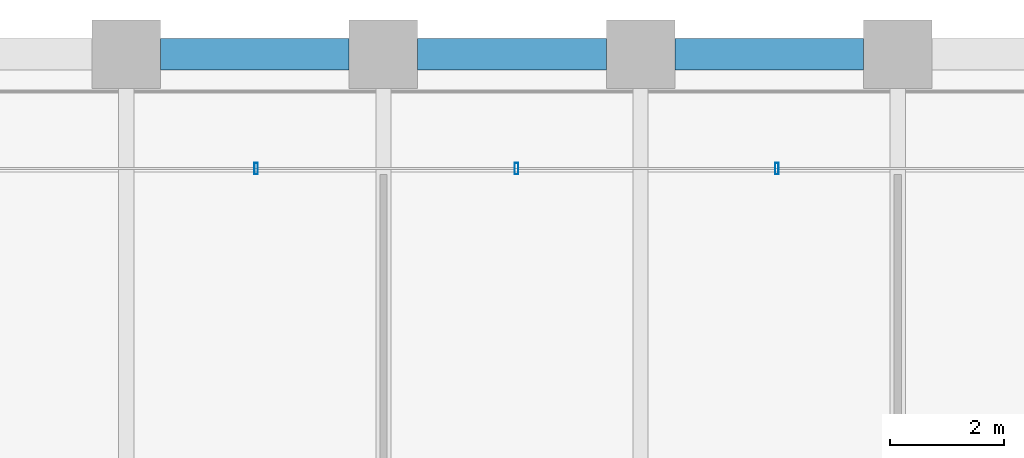
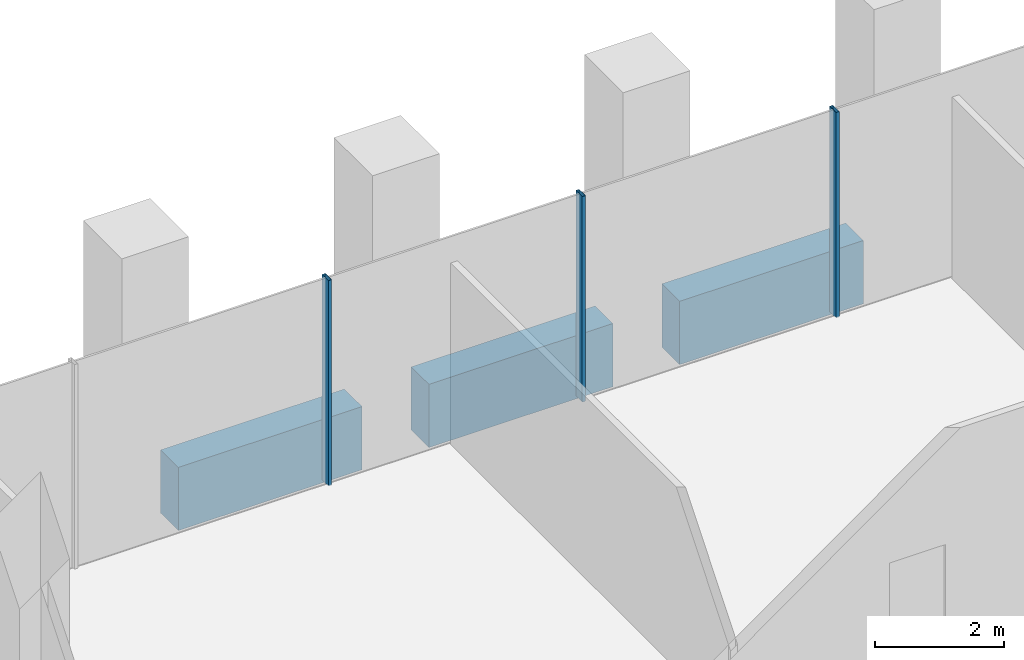
# One storey, part 16 of 36: 3 beams, 3 members, 1 element without a shape of its own.
"""IFC4 building model written with IfcOpenShell, lengths in metres."""

from ifc_helpers import new_model, si_unit, direction, frame, origin, origin_2d, place, context, subcontext, project, spatial, rectangle, hollow_rectangle, extrude, material, material_profile, profile_set, type_object, element, aggregate, save


model = new_model("IFC4")

# Units and contexts
model_context = context("Model", 3, precision=1e-05, world=origin(), true_north=direction((0.0, 1.0)))
body_context = subcontext(model_context, "Body", "Model", "MODEL_VIEW")
ifc_project = project(units=[si_unit("LENGTHUNIT", "METRE"), si_unit("AREAUNIT", "SQUARE_METRE"), si_unit("VOLUMEUNIT", "CUBIC_METRE"), si_unit("PLANEANGLEUNIT", "RADIAN"), si_unit("MASSUNIT", "GRAM", prefix="KILO")], contexts=[model_context])

# Site, building, storey
site_placement = place(None, origin())
site = spatial("IfcSite", under=ifc_project, at=site_placement, CompositionType="ELEMENT")
building_placement = place(site_placement, origin())
building = spatial("IfcBuilding", under=site, at=building_placement, Name="Altepetl Exchange Towers", CompositionType="ELEMENT")
storey_placement = place(building_placement, frame((0.0, 0.0, 29.800048828125)))
storey = spatial("IfcBuildingStorey", under=building, at=storey_placement, Name="L06", CompositionType="ELEMENT", Elevation=29.800048828125)

# Curtain wall, members
ifc_material_1 = material(Name="Aluminium 6063-T6 glazing", Category="aluminium")
curtain_wall_type = type_object("IfcCurtainWallType", Name="Trading floor glazing system", PredefinedType="NOTDEFINED", material=ifc_material_1)
curtain_wall_placement = place(storey_placement, origin())
curtain_wall = element("IfcCurtainWall", 1, at=curtain_wall_placement, inside=storey, type_object=curtain_wall_type, Name="CW2 run", PredefinedType="NOTDEFINED")
ifc_material_2 = material(Name="Aluminium 6063-T6", Category="aluminium")
ifc_material_profile_1 = material_profile(ifc_material_2, hollow_rectangle(XDim=0.06005859375, YDim=0.199951171875, WallThickness=0.0029296875, at=origin_2d()), Name="Mullion 60x200 aluminium")
ifc_profile_set_1 = profile_set([ifc_material_profile_1], Name="Aluminium 6063-T6")
member_type = type_object("IfcMemberType", Name="Mullion 60x200 aluminium", PredefinedType="MULLION", material=ifc_profile_set_1)
member_1_placement = place(storey_placement, frame((56.3857421875, 70.0, 0.0), z_axis=(0.0, 0.0, 1.0), x_axis=(-1.0, 0.0, 0.0)))
member_1 = element("IfcMember", 2, at=member_1_placement, type_object=member_type, Name="MU2 mullion", PredefinedType="MULLION", context=body_context, shape_type="SweptSolid", body=[
    extrude(hollow_rectangle(XDim=0.06005859375, YDim=0.199951171875, WallThickness=0.0029296875, at=origin_2d()), origin(), (0.0, 0.0, 1.0), 3.89990234375),
])
member_2_placement = place(storey_placement, frame((51.82861328125, 70.0, 0.0), z_axis=(0.0, 0.0, 1.0), x_axis=(-1.0, 0.0, 0.0)))
member_2 = element("IfcMember", 3, at=member_2_placement, type_object=member_type, Name="MU2 mullion", PredefinedType="MULLION", context=body_context, shape_type="SweptSolid", body=[
    extrude(hollow_rectangle(XDim=0.06005859375, YDim=0.199951171875, WallThickness=0.0029296875, at=origin_2d()), origin(), (0.0, 0.0, 1.0), 3.89990234375),
])
member_3_placement = place(storey_placement, frame((47.271484375, 70.0, 0.0), z_axis=(0.0, 0.0, 1.0), x_axis=(-1.0, 0.0, 0.0)))
member_3 = element("IfcMember", 4, at=member_3_placement, type_object=member_type, Name="MU2 mullion", PredefinedType="MULLION", context=body_context, shape_type="SweptSolid", body=[
    extrude(hollow_rectangle(XDim=0.06005859375, YDim=0.199951171875, WallThickness=0.0029296875, at=origin_2d()), origin(), (0.0, 0.0, 1.0), 3.89990234375),
])
aggregate(curtain_wall, [member_1, member_2, member_3])

# Beams
ifc_material_3 = material(Name="Concrete C50/60 precast with cantera rosa facing", Category="concrete")
ifc_material_profile_2 = material_profile(ifc_material_3, rectangle(XDim=0.550048828125, YDim=1.199951171875, at=origin_2d()), Name="550 x 1200")
ifc_profile_set_2 = profile_set([ifc_material_profile_2], Name="Concrete C50/60 precast with cantera rosa facing")
beam_type = type_object("IfcBeamType", Name="Spandrel beam 550x1200 cantera rosa", PredefinedType="SPANDREL", material=ifc_profile_set_2)
for number, where, z_axis, x_axis, name in (
    (5, (57.89990234375, 72.0, -0.775146484375), (-1.0, 0.0, 0.0), (0.0, -1.0, 0.0), "sp:A:L06:026"),
    (6, (53.39990234375, 72.0, -0.775146484375), (-1.0, 0.0, 0.0), (0.0, -1.0, 0.0), "sp:A:L06:027"),
    (7, (48.89990234375, 72.0, -0.775146484375), (-1.0, 0.0, 0.0), (0.0, -1.0, 0.0), "sp:A:L06:028"),
):
    element("IfcBeam", number, at=place(storey_placement, frame(where, z_axis=z_axis, x_axis=x_axis)), inside=storey, type_object=beam_type, Name=name, PredefinedType="SPANDREL", context=body_context, shape_type="SweptSolid", body=[
        extrude(rectangle(XDim=0.550048828125, YDim=1.199951171875, at=origin_2d()), origin(), (0.0, 0.0, 1.0), 3.2998046875),
    ])

save(model, "model.ifc")
